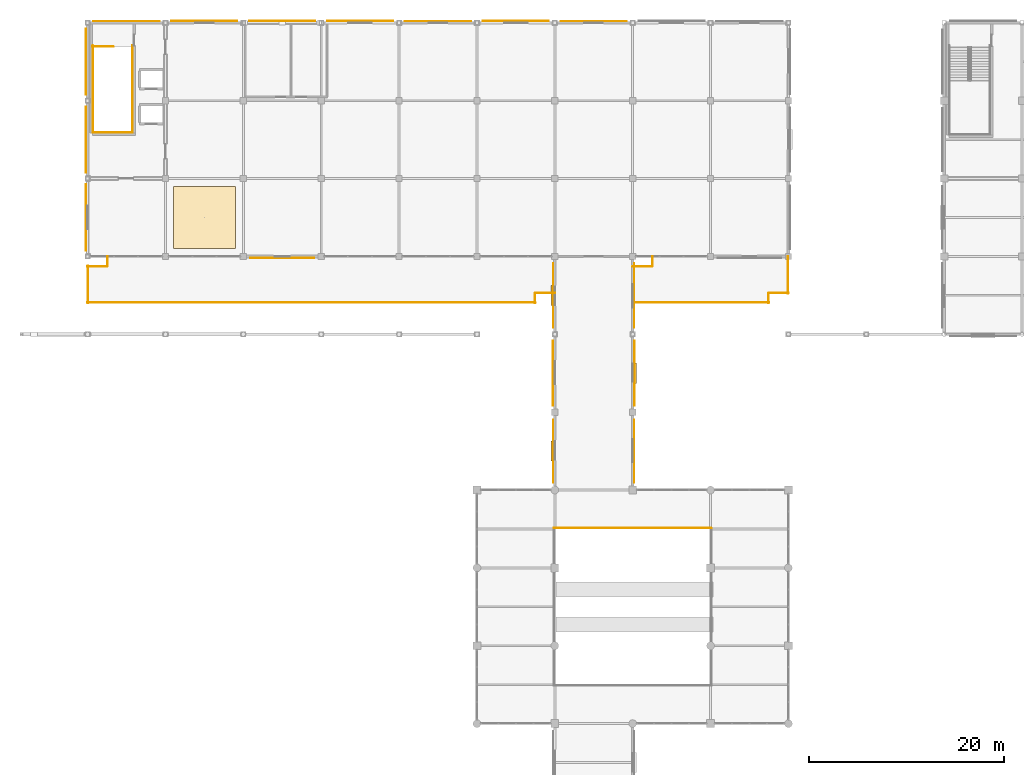
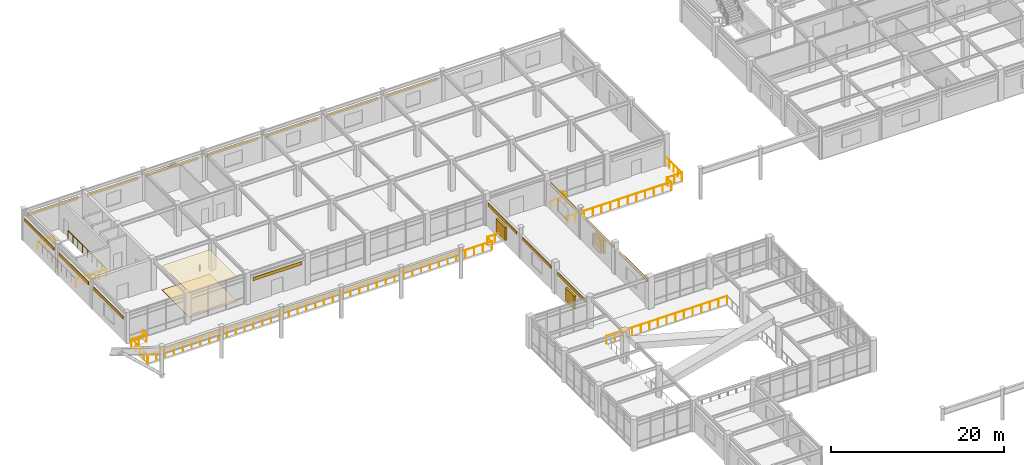
# One storey, part 74 of 78: 19 coverings, 17 railings, 3 shading devices.
"""IFC4 building model written with IfcOpenShell, lengths in metres."""

from ifc_helpers import new_model, si_unit, direction, frame, origin, origin_2d, place, context, subcontext, project, spatial, polyline, rectangle, circle, outline, extrude, material, layer, layer_set, type_object, element, save


model = new_model("IFC4")

# Units and contexts
model_context = context("Model", 3, precision=1e-05, world=origin(), true_north=direction((0.0, 1.0)))
body_context = subcontext(model_context, "Body", "Model", "MODEL_VIEW")
ifc_project = project(units=[si_unit("LENGTHUNIT", "METRE"), si_unit("AREAUNIT", "SQUARE_METRE"), si_unit("VOLUMEUNIT", "CUBIC_METRE"), si_unit("PLANEANGLEUNIT", "RADIAN"), si_unit("MASSUNIT", "GRAM", prefix="KILO")], contexts=[model_context])

# Site, building, storey
site_placement = place(None, origin())
site = spatial("IfcSite", under=ifc_project, at=site_placement, CompositionType="ELEMENT")
building_placement = place(site_placement, origin())
building = spatial("IfcBuilding", under=site, at=building_placement, Name="Solmirada Galleria", CompositionType="ELEMENT")
storey_placement = place(building_placement, frame((0.0, 0.0, 23.89990234375)))
storey = spatial("IfcBuildingStorey", under=building, at=storey_placement, Name="L05", CompositionType="ELEMENT", Elevation=23.89990234375)

# Coverings
ifc_material_1 = material(Name="Perforated acoustic mineral-fibre ceiling")
ifc_layer_1 = layer(ifc_material_1, 0.02490234375)
ifc_layer_set_1 = layer_set([ifc_layer_1], Name="Perforated acoustic mineral-fibre ceiling")
covering_type_1 = type_object("IfcCoveringType", Name="COV-CEIL-ACOUST", PredefinedType="CEILING", material=ifc_layer_set_1)
covering_1_placement = place(storey_placement, frame((0.0, 0.0, 3.4501953125)))
element("IfcCovering", 1, at=covering_1_placement, inside=storey, type_object=covering_type_1, Name="Acoustic ceiling panel L05-1", PredefinedType="CEILING", context=body_context, shape_type="SweptSolid", body=[
    extrude(outline(polyline([(48.800048828125, 96.800048828125), (55.199951171875, 96.800048828125), (55.199951171875, 103.199951171875), (48.800048828125, 103.199951171875), (48.800048828125, 96.800048828125)])), origin(), (0.0, 0.0, 1.0), 0.02490234375),
])
ifc_material_2 = material(Name="Limestone cladding panels", Category="masonry")
ifc_layer_2 = layer(ifc_material_2, 0.044921875)
ifc_layer_set_2 = layer_set([ifc_layer_2], Name="Limestone cladding panels")
covering_type_2 = type_object("IfcCoveringType", Name="COV-CLAD-LIME", PredefinedType="CLADDING", material=ifc_layer_set_2)
covering_2_placement = place(storey_placement, frame((87.83251953125, 84.0, 2.990234375), z_axis=(0.0, 0.0, 1.0), x_axis=(0.0, 1.0, 0.0)))
element("IfcCovering", 2, at=covering_2_placement, inside=storey, type_object=covering_type_2, Name="Postmodern facade cladding L05-313", PredefinedType="CLADDING", context=body_context, shape_type="SweptSolid", body=[
    extrude(rectangle(XDim=6.646484375, YDim=0.044921875, at=origin_2d()), origin(), (0.0, 0.0, 1.0), 0.4599609375),
])
for number, where, z_axis, x_axis, name in (
    (3, (39.83251953125, 100.0, 2.990234375), (0.0, 0.0, 1.0), (0.0, 1.0, 0.0), "Postmodern facade cladding L05-316"),
    (4, (39.83251953125, 116.0, 2.990234375), (0.0, 0.0, 1.0), (0.0, 1.0, 0.0), "Postmodern facade cladding L05-318"),
    (5, (52.0, 120.16748046875, 2.990234375), (0.0, 0.0, 1.0), (1.0, 0.0, 0.0), "Postmodern facade cladding L05-320"),
    (6, (68.0, 120.16748046875, 2.990234375), (0.0, 0.0, 1.0), (1.0, 0.0, 0.0), "Postmodern facade cladding L05-322"),
    (7, (84.0, 120.16748046875, 2.990234375), (0.0, 0.0, 1.0), (1.0, 0.0, 0.0), "Postmodern facade cladding L05-324"),
):
    element("IfcCovering", number, at=place(storey_placement, frame(where, z_axis=z_axis, x_axis=x_axis)), inside=storey, type_object=covering_type_2, Name=name, PredefinedType="CLADDING", context=body_context, shape_type="SweptSolid", body=[
        extrude(rectangle(XDim=6.7939453125, YDim=0.044921875, at=origin_2d()), origin(), (0.0, 0.0, 1.0), 0.4599609375),
    ])
covering_3_placement = place(storey_placement, frame((96.16748046875, 84.0, 2.990234375), z_axis=(0.0, 0.0, 1.0), x_axis=(0.0, -1.0, 0.0)))
element("IfcCovering", 8, at=covering_3_placement, inside=storey, type_object=covering_type_2, Name="Postmodern facade cladding L05-333", PredefinedType="CLADDING", context=body_context, shape_type="SweptSolid", body=[
    extrude(rectangle(XDim=6.646484375, YDim=0.044921875, at=origin_2d()), origin(), (0.0, 0.0, 1.0), 0.4599609375),
])
ifc_material_3 = material(Name="Glazed terracotta facade panels", Category="masonry")
ifc_layer_3 = layer(ifc_material_3, 0.0400390625)
ifc_layer_set_3 = layer_set([ifc_layer_3], Name="Glazed terracotta facade panels")
covering_type_3 = type_object("IfcCoveringType", Name="COV-CLAD-TERRA", PredefinedType="CLADDING", material=ifc_layer_set_3)
covering_4_placement = place(storey_placement, frame((87.8349609375, 76.0, 2.990234375), z_axis=(0.0, 0.0, 1.0), x_axis=(0.0, 1.0, 0.0)))
element("IfcCovering", 9, at=covering_4_placement, inside=storey, type_object=covering_type_3, Name="Postmodern facade cladding L05-312", PredefinedType="CLADDING", context=body_context, shape_type="SweptSolid", body=[
    extrude(rectangle(XDim=6.47509765625, YDim=0.0400390625, at=origin_2d()), origin(), (0.0, 0.0, 1.0), 0.4599609375),
])
covering_5_placement = place(storey_placement, frame((87.8349609375, 92.0, 2.990234375), z_axis=(0.0, 0.0, 1.0), x_axis=(0.0, 1.0, 0.0)))
element("IfcCovering", 10, at=covering_5_placement, inside=storey, type_object=covering_type_3, Name="Postmodern facade cladding L05-314", PredefinedType="CLADDING", context=body_context, shape_type="SweptSolid", body=[
    extrude(rectangle(XDim=6.646484375, YDim=0.0400390625, at=origin_2d()), origin(), (0.0, 0.0, 1.0), 0.4599609375),
])
covering_6_placement = place(storey_placement, frame((60.0, 95.8349609375, 2.990234375), z_axis=(0.0, 0.0, 1.0), x_axis=(-1.0, 0.0, 0.0)))
element("IfcCovering", 11, at=covering_6_placement, inside=storey, type_object=covering_type_3, Name="Postmodern facade cladding L05-315", PredefinedType="CLADDING", context=body_context, shape_type="SweptSolid", body=[
    extrude(rectangle(XDim=6.550048828125, YDim=0.0400390625, at=origin_2d()), origin(), (0.0, 0.0, 1.0), 0.4599609375),
])
for number, where, z_axis, x_axis, name in (
    (12, (39.8349609375, 108.0, 2.990234375), (0.0, 0.0, 1.0), (0.0, 1.0, 0.0), "Postmodern facade cladding L05-317"),
    (13, (44.0, 120.1650390625, 2.990234375), (0.0, 0.0, 1.0), (1.0, 0.0, 0.0), "Postmodern facade cladding L05-319"),
    (14, (60.0, 120.199951171875, 2.990234375), (0.0, 0.0, 1.0), (1.0, 0.0, 0.0), "Postmodern facade cladding L05-321"),
    (15, (76.0, 120.1650390625, 2.990234375), (0.0, 0.0, 1.0), (1.0, 0.0, 0.0), "Postmodern facade cladding L05-323"),
    (16, (92.0, 120.1650390625, 2.990234375), (0.0, 0.0, 1.0), (1.0, 0.0, 0.0), "Postmodern facade cladding L05-325"),
):
    element("IfcCovering", number, at=place(storey_placement, frame(where, z_axis=z_axis, x_axis=x_axis)), inside=storey, type_object=covering_type_3, Name=name, PredefinedType="CLADDING", context=body_context, shape_type="SweptSolid", body=[
        extrude(rectangle(XDim=6.7939453125, YDim=0.0400390625, at=origin_2d()), origin(), (0.0, 0.0, 1.0), 0.4599609375),
    ])
covering_7_placement = place(storey_placement, frame((96.1650390625, 92.0, 2.990234375), z_axis=(0.0, 0.0, 1.0), x_axis=(0.0, -1.0, 0.0)))
element("IfcCovering", 17, at=covering_7_placement, inside=storey, type_object=covering_type_3, Name="Postmodern facade cladding L05-332", PredefinedType="CLADDING", context=body_context, shape_type="SweptSolid", body=[
    extrude(rectangle(XDim=6.646484375, YDim=0.0400390625, at=origin_2d()), origin(), (0.0, 0.0, 1.0), 0.4599609375),
])
covering_8_placement = place(storey_placement, frame((96.1650390625, 76.0, 2.990234375), z_axis=(0.0, 0.0, 1.0), x_axis=(0.0, -1.0, 0.0)))
element("IfcCovering", 18, at=covering_8_placement, inside=storey, type_object=covering_type_3, Name="Postmodern facade cladding L05-334", PredefinedType="CLADDING", context=body_context, shape_type="SweptSolid", body=[
    extrude(rectangle(XDim=6.47509765625, YDim=0.0400390625, at=origin_2d()), origin(), (0.0, 0.0, 1.0), 0.4599609375),
])
ifc_material_4 = material(Name="Polished terrazzo and porcelain tile flooring")
ifc_layer_4 = layer(ifc_material_4, 0.030029296875)
ifc_layer_set_4 = layer_set([ifc_layer_4], Name="Polished terrazzo and porcelain tile flooring")
covering_type_4 = type_object("IfcCoveringType", Name="COV-FLOOR-TERRAZ", PredefinedType="FLOORING", material=ifc_layer_set_4)
covering_9_placement = place(storey_placement, origin())
element("IfcCovering", 19, at=covering_9_placement, inside=storey, type_object=covering_type_4, Name="Terrazzo floor finish L05-1", PredefinedType="FLOORING", context=body_context, shape_type="SweptSolid", body=[
    extrude(outline(polyline([(48.800048828125, 96.800048828125), (55.199951171875, 96.800048828125), (55.199951171875, 103.199951171875), (48.800048828125, 103.199951171875), (48.800048828125, 96.800048828125)])), origin(), (0.0, 0.0, 1.0), 0.030029296875),
])

# Railings
ifc_material_5 = material(Name="Tempered laminated glass and stainless-steel balustrade", Category="steel")
railing_type_1 = type_object("IfcRailingType", Name="RAIL-ATRIUM-BAL", PredefinedType="BALUSTRADE", material=ifc_material_5)
railing_1_placement = place(storey_placement, frame((87.919921875, 68.080078125, 0.0)))
element("IfcRailing", 20, at=railing_1_placement, inside=storey, type_object=railing_type_1, Name="Void balustrade ATRIUM L05-N", PredefinedType="BALUSTRADE", context=body_context, shape_type="SweptSolid", body=[
    extrude(circle(Radius=0.02392578125, at=origin_2d()), frame((0.0, 0.0, 1.09619140625), z_axis=(1.0, 0.0, 0.0), x_axis=(0.0, 1.0, 0.0)), (0.0, 0.0, 1.0), 16.16015625),
    extrude(circle(Radius=0.02099609375, at=origin_2d()), origin(), (0.0, 0.0, 1.0), 1.068115234375),
    extrude(circle(Radius=0.02099609375, at=origin_2d()), frame((1.154296875, 0.0, 0.0)), (0.0, 0.0, 1.0), 1.068115234375),
    extrude(circle(Radius=0.02099609375, at=origin_2d()), frame((2.30859375, 0.0, 0.0)), (0.0, 0.0, 1.0), 1.068115234375),
    extrude(circle(Radius=0.02099609375, at=origin_2d()), frame((3.462890625, 0.0, 0.0)), (0.0, 0.0, 1.0), 1.068115234375),
    extrude(circle(Radius=0.02099609375, at=origin_2d()), frame((4.6171875, 0.0, 0.0)), (0.0, 0.0, 1.0), 1.068115234375),
    extrude(circle(Radius=0.02099609375, at=origin_2d()), frame((5.771484375, 0.0, 0.0)), (0.0, 0.0, 1.0), 1.068115234375),
    extrude(circle(Radius=0.02099609375, at=origin_2d()), frame((6.92578125, 0.0, 0.0)), (0.0, 0.0, 1.0), 1.068115234375),
    extrude(circle(Radius=0.02099609375, at=origin_2d()), frame((8.080078125, 0.0, 0.0)), (0.0, 0.0, 1.0), 1.068115234375),
    extrude(circle(Radius=0.02099609375, at=origin_2d()), frame((9.234375, 0.0, 0.0)), (0.0, 0.0, 1.0), 1.068115234375),
    extrude(circle(Radius=0.02099609375, at=origin_2d()), frame((10.388671875, 0.0, 0.0)), (0.0, 0.0, 1.0), 1.068115234375),
    extrude(circle(Radius=0.02099609375, at=origin_2d()), frame((11.54296875, 0.0, 0.0)), (0.0, 0.0, 1.0), 1.068115234375),
    extrude(circle(Radius=0.02099609375, at=origin_2d()), frame((12.697265625, 0.0, 0.0)), (0.0, 0.0, 1.0), 1.068115234375),
    extrude(circle(Radius=0.02099609375, at=origin_2d()), frame((13.8515625, 0.0, 0.0)), (0.0, 0.0, 1.0), 1.068115234375),
    extrude(circle(Radius=0.02099609375, at=origin_2d()), frame((15.005859375, 0.0, 0.0)), (0.0, 0.0, 1.0), 1.068115234375),
    extrude(circle(Radius=0.02099609375, at=origin_2d()), frame((16.16015625, 0.0, 0.0)), (0.0, 0.0, 1.0), 1.068115234375),
])
ifc_material_6 = material(Name="Painted steel tubular railing", Category="steel")
railing_type_2 = type_object("IfcRailingType", Name="RAIL-STAIR-GUARD", PredefinedType="GUARDRAIL", material=ifc_material_6)
railing_2_placement = place(storey_placement, frame((40.5, 117.550048828125, 0.0)))
element("IfcRailing", 21, at=railing_2_placement, inside=storey, type_object=railing_type_2, Name="L05 ST1 top well guard 1", PredefinedType="GUARDRAIL", context=body_context, shape_type="SweptSolid", body=[
    extrude(circle(Radius=0.02392578125, at=origin_2d()), frame((0.0, 0.0, 1.076171875), z_axis=(1.0, 0.0, 0.0), x_axis=(0.0, 1.0, 0.0)), (0.0, 0.0, 1.0), 2.14990234375),
    extrude(circle(Radius=0.02099609375, at=origin_2d()), origin(), (0.0, 0.0, 1.0), 1.048095703125),
    extrude(circle(Radius=0.02099609375, at=origin_2d()), frame((1.074951171875, 0.0, 0.0)), (0.0, 0.0, 1.0), 1.048095703125),
    extrude(circle(Radius=0.02099609375, at=origin_2d()), frame((2.14990234375, 0.0, 0.0)), (0.0, 0.0, 1.0), 1.048095703125),
])
railing_3_placement = place(storey_placement, frame((44.610107421875, 117.64990234375, 0.0)))
element("IfcRailing", 22, at=railing_3_placement, inside=storey, type_object=railing_type_2, Name="Stair ST1 well edge guard L05-1", PredefinedType="GUARDRAIL", context=body_context, shape_type="SweptSolid", body=[
    extrude(circle(Radius=0.02392578125, at=origin_2d()), frame((0.0, 0.0, 1.09619140625), z_axis=(0.0, -1.0, 0.0), x_axis=(1.0, 0.0, 0.0)), (0.0, 0.0, 1.0), 8.909912109375),
    extrude(circle(Radius=0.02099609375, at=origin_2d()), origin(), (0.0, 0.0, 1.0), 1.068115234375),
    extrude(circle(Radius=0.02099609375, at=origin_2d()), frame((0.0, -1.11376953125, 0.0)), (0.0, 0.0, 1.0), 1.068115234375),
    extrude(circle(Radius=0.02099609375, at=origin_2d()), frame((0.0, -2.2275390625, 0.0)), (0.0, 0.0, 1.0), 1.068115234375),
    extrude(circle(Radius=0.02099609375, at=origin_2d()), frame((0.0, -3.34130859375, 0.0)), (0.0, 0.0, 1.0), 1.068115234375),
    extrude(circle(Radius=0.02099609375, at=origin_2d()), frame((0.0, -4.455078125, 0.0)), (0.0, 0.0, 1.0), 1.068115234375),
    extrude(circle(Radius=0.02099609375, at=origin_2d()), frame((0.0, -5.568603515625, 0.0)), (0.0, 0.0, 1.0), 1.068115234375),
    extrude(circle(Radius=0.02099609375, at=origin_2d()), frame((0.0, -6.682373046875, 0.0)), (0.0, 0.0, 1.0), 1.068115234375),
    extrude(circle(Radius=0.02099609375, at=origin_2d()), frame((0.0, -7.796142578125, 0.0)), (0.0, 0.0, 1.0), 1.068115234375),
    extrude(circle(Radius=0.02099609375, at=origin_2d()), frame((0.0, -8.909912109375, 0.0)), (0.0, 0.0, 1.0), 1.068115234375),
])
railing_4_placement = place(storey_placement, frame((44.610107421875, 108.739990234375, 0.0)))
element("IfcRailing", 23, at=railing_4_placement, inside=storey, type_object=railing_type_2, Name="Stair ST1 well edge guard L05-2", PredefinedType="GUARDRAIL", context=body_context, shape_type="SweptSolid", body=[
    extrude(circle(Radius=0.02392578125, at=origin_2d()), frame((0.0, 0.0, 1.09619140625), z_axis=(-1.0, 0.0, 0.0), x_axis=(0.0, -1.0, 0.0)), (0.0, 0.0, 1.0), 4.070068359375),
    extrude(circle(Radius=0.02099609375, at=origin_2d()), origin(), (0.0, 0.0, 1.0), 1.068115234375),
    extrude(circle(Radius=0.02099609375, at=origin_2d()), frame((-1.017578125, 0.0, 0.0)), (0.0, 0.0, 1.0), 1.068115234375),
    extrude(circle(Radius=0.02099609375, at=origin_2d()), frame((-2.03515625, 0.0, 0.0)), (0.0, 0.0, 1.0), 1.068115234375),
    extrude(circle(Radius=0.02099609375, at=origin_2d()), frame((-3.052490234375, 0.0, 0.0)), (0.0, 0.0, 1.0), 1.068115234375),
    extrude(circle(Radius=0.02099609375, at=origin_2d()), frame((-4.070068359375, 0.0, 0.0)), (0.0, 0.0, 1.0), 1.068115234375),
])
railing_5_placement = place(storey_placement, frame((40.5400390625, 108.739990234375, 0.0)))
element("IfcRailing", 24, at=railing_5_placement, inside=storey, type_object=railing_type_2, Name="Stair ST1 well edge guard L05-3", PredefinedType="GUARDRAIL", context=body_context, shape_type="SweptSolid", body=[
    extrude(circle(Radius=0.02392578125, at=origin_2d()), frame((0.0, 0.0, 1.09619140625), z_axis=(0.0, 1.0, 0.0), x_axis=(-1.0, 0.0, 0.0)), (0.0, 0.0, 1.0), 8.909912109375),
    extrude(circle(Radius=0.02099609375, at=origin_2d()), origin(), (0.0, 0.0, 1.0), 1.068115234375),
    extrude(circle(Radius=0.02099609375, at=origin_2d()), frame((0.0, 1.11376953125, 0.0)), (0.0, 0.0, 1.0), 1.068115234375),
    extrude(circle(Radius=0.02099609375, at=origin_2d()), frame((0.0, 2.2275390625, 0.0)), (0.0, 0.0, 1.0), 1.068115234375),
    extrude(circle(Radius=0.02099609375, at=origin_2d()), frame((0.0, 3.34130859375, 0.0)), (0.0, 0.0, 1.0), 1.068115234375),
    extrude(circle(Radius=0.02099609375, at=origin_2d()), frame((0.0, 4.455078125, 0.0)), (0.0, 0.0, 1.0), 1.068115234375),
    extrude(circle(Radius=0.02099609375, at=origin_2d()), frame((0.0, 5.568603515625, 0.0)), (0.0, 0.0, 1.0), 1.068115234375),
    extrude(circle(Radius=0.02099609375, at=origin_2d()), frame((0.0, 6.682373046875, 0.0)), (0.0, 0.0, 1.0), 1.068115234375),
    extrude(circle(Radius=0.02099609375, at=origin_2d()), frame((0.0, 7.796142578125, 0.0)), (0.0, 0.0, 1.0), 1.068115234375),
    extrude(circle(Radius=0.02099609375, at=origin_2d()), frame((0.0, 8.909912109375, 0.0)), (0.0, 0.0, 1.0), 1.068115234375),
])
ifc_material_7 = material(Name="Painted galvanized steel balustrade", Category="steel")
railing_type_3 = type_object("IfcRailingType", Name="RAIL-TERR-1100", PredefinedType="GUARDRAIL", material=ifc_material_7)
railing_6_placement = place(storey_placement, frame((40.0, 91.25, 0.0)))
element("IfcRailing", 25, at=railing_6_placement, inside=storey, type_object=railing_type_3, Name="Terrace guardrail L05-TERR-NW E1.1", PredefinedType="GUARDRAIL", context=body_context, shape_type="SweptSolid", body=[
    extrude(circle(Radius=0.02392578125, at=origin_2d()), frame((0.0, 0.0, 1.09619140625), z_axis=(1.0, 0.0, 0.0), x_axis=(0.0, 1.0, 0.0)), (0.0, 0.0, 1.0), 46.0),
    extrude(circle(Radius=0.02099609375, at=origin_2d()), origin(), (0.0, 0.0, 1.0), 1.068115234375),
    extrude(circle(Radius=0.02099609375, at=origin_2d()), frame((1.179443359375, 0.0, 0.0)), (0.0, 0.0, 1.0), 1.068115234375),
    extrude(circle(Radius=0.02099609375, at=origin_2d()), frame((2.35888671875, 0.0, 0.0)), (0.0, 0.0, 1.0), 1.068115234375),
    extrude(circle(Radius=0.02099609375, at=origin_2d()), frame((3.53857421875, 0.0, 0.0)), (0.0, 0.0, 1.0), 1.068115234375),
    extrude(circle(Radius=0.02099609375, at=origin_2d()), frame((4.718017578125, 0.0, 0.0)), (0.0, 0.0, 1.0), 1.068115234375),
    extrude(circle(Radius=0.02099609375, at=origin_2d()), frame((5.8974609375, 0.0, 0.0)), (0.0, 0.0, 1.0), 1.068115234375),
    extrude(circle(Radius=0.02099609375, at=origin_2d()), frame((7.076904296875, 0.0, 0.0)), (0.0, 0.0, 1.0), 1.068115234375),
    extrude(circle(Radius=0.02099609375, at=origin_2d()), frame((8.25634765625, 0.0, 0.0)), (0.0, 0.0, 1.0), 1.068115234375),
    extrude(circle(Radius=0.02099609375, at=origin_2d()), frame((9.435791015625, 0.0, 0.0)), (0.0, 0.0, 1.0), 1.068115234375),
    extrude(circle(Radius=0.02099609375, at=origin_2d()), frame((10.615478515625, 0.0, 0.0)), (0.0, 0.0, 1.0), 1.068115234375),
    extrude(circle(Radius=0.02099609375, at=origin_2d()), frame((11.794921875, 0.0, 0.0)), (0.0, 0.0, 1.0), 1.068115234375),
    extrude(circle(Radius=0.02099609375, at=origin_2d()), frame((12.974365234375, 0.0, 0.0)), (0.0, 0.0, 1.0), 1.068115234375),
    extrude(circle(Radius=0.02099609375, at=origin_2d()), frame((14.15380859375, 0.0, 0.0)), (0.0, 0.0, 1.0), 1.068115234375),
    extrude(circle(Radius=0.02099609375, at=origin_2d()), frame((15.333251953125, 0.0, 0.0)), (0.0, 0.0, 1.0), 1.068115234375),
    extrude(circle(Radius=0.02099609375, at=origin_2d()), frame((16.512939453125, 0.0, 0.0)), (0.0, 0.0, 1.0), 1.068115234375),
    extrude(circle(Radius=0.02099609375, at=origin_2d()), frame((17.6923828125, 0.0, 0.0)), (0.0, 0.0, 1.0), 1.068115234375),
    extrude(circle(Radius=0.02099609375, at=origin_2d()), frame((18.871826171875, 0.0, 0.0)), (0.0, 0.0, 1.0), 1.068115234375),
    extrude(circle(Radius=0.02099609375, at=origin_2d()), frame((20.05126953125, 0.0, 0.0)), (0.0, 0.0, 1.0), 1.068115234375),
    extrude(circle(Radius=0.02099609375, at=origin_2d()), frame((21.230712890625, 0.0, 0.0)), (0.0, 0.0, 1.0), 1.068115234375),
    extrude(circle(Radius=0.02099609375, at=origin_2d()), frame((22.41015625, 0.0, 0.0)), (0.0, 0.0, 1.0), 1.068115234375),
    extrude(circle(Radius=0.02099609375, at=origin_2d()), frame((23.58984375, 0.0, 0.0)), (0.0, 0.0, 1.0), 1.068115234375),
    extrude(circle(Radius=0.02099609375, at=origin_2d()), frame((24.769287109375, 0.0, 0.0)), (0.0, 0.0, 1.0), 1.068115234375),
    extrude(circle(Radius=0.02099609375, at=origin_2d()), frame((25.94873046875, 0.0, 0.0)), (0.0, 0.0, 1.0), 1.068115234375),
    extrude(circle(Radius=0.02099609375, at=origin_2d()), frame((27.128173828125, 0.0, 0.0)), (0.0, 0.0, 1.0), 1.068115234375),
    extrude(circle(Radius=0.02099609375, at=origin_2d()), frame((28.3076171875, 0.0, 0.0)), (0.0, 0.0, 1.0), 1.068115234375),
    extrude(circle(Radius=0.02099609375, at=origin_2d()), frame((29.487060546875, 0.0, 0.0)), (0.0, 0.0, 1.0), 1.068115234375),
    extrude(circle(Radius=0.02099609375, at=origin_2d()), frame((30.666748046875, 0.0, 0.0)), (0.0, 0.0, 1.0), 1.068115234375),
    extrude(circle(Radius=0.02099609375, at=origin_2d()), frame((31.84619140625, 0.0, 0.0)), (0.0, 0.0, 1.0), 1.068115234375),
    extrude(circle(Radius=0.02099609375, at=origin_2d()), frame((33.025634765625, 0.0, 0.0)), (0.0, 0.0, 1.0), 1.068115234375),
    extrude(circle(Radius=0.02099609375, at=origin_2d()), frame((34.205078125, 0.0, 0.0)), (0.0, 0.0, 1.0), 1.068115234375),
    extrude(circle(Radius=0.02099609375, at=origin_2d()), frame((35.384521484375, 0.0, 0.0)), (0.0, 0.0, 1.0), 1.068115234375),
    extrude(circle(Radius=0.02099609375, at=origin_2d()), frame((36.564208984375, 0.0, 0.0)), (0.0, 0.0, 1.0), 1.068115234375),
    extrude(circle(Radius=0.02099609375, at=origin_2d()), frame((37.74365234375, 0.0, 0.0)), (0.0, 0.0, 1.0), 1.068115234375),
    extrude(circle(Radius=0.02099609375, at=origin_2d()), frame((38.923095703125, 0.0, 0.0)), (0.0, 0.0, 1.0), 1.068115234375),
    extrude(circle(Radius=0.02099609375, at=origin_2d()), frame((40.1025390625, 0.0, 0.0)), (0.0, 0.0, 1.0), 1.068115234375),
    extrude(circle(Radius=0.02099609375, at=origin_2d()), frame((41.281982421875, 0.0, 0.0)), (0.0, 0.0, 1.0), 1.068115234375),
    extrude(circle(Radius=0.02099609375, at=origin_2d()), frame((42.46142578125, 0.0, 0.0)), (0.0, 0.0, 1.0), 1.068115234375),
    extrude(circle(Radius=0.02099609375, at=origin_2d()), frame((43.64111328125, 0.0, 0.0)), (0.0, 0.0, 1.0), 1.068115234375),
    extrude(circle(Radius=0.02099609375, at=origin_2d()), frame((44.820556640625, 0.0, 0.0)), (0.0, 0.0, 1.0), 1.068115234375),
    extrude(circle(Radius=0.02099609375, at=origin_2d()), frame((46.0, 0.0, 0.0)), (0.0, 0.0, 1.0), 1.068115234375),
])
railing_7_placement = place(storey_placement, frame((85.949951171875, 91.199951171875, 0.0)))
element("IfcRailing", 26, at=railing_7_placement, inside=storey, type_object=railing_type_3, Name="Terrace guardrail L05-TERR-NW E2.1", PredefinedType="GUARDRAIL", context=body_context, shape_type="SweptSolid", body=[
    extrude(circle(Radius=0.02392578125, at=origin_2d()), frame((0.0, 0.0, 1.09619140625), z_axis=(0.0, 1.0, 0.0), x_axis=(-1.0, 0.0, 0.0)), (0.0, 0.0, 1.0), 1.0),
    extrude(circle(Radius=0.02099609375, at=origin_2d()), origin(), (0.0, 0.0, 1.0), 1.068115234375),
    extrude(circle(Radius=0.02099609375, at=origin_2d()), frame((0.0, 1.0, 0.0)), (0.0, 0.0, 1.0), 1.068115234375),
])
railing_8_placement = place(storey_placement, frame((86.0, 92.25, 0.0)))
element("IfcRailing", 27, at=railing_8_placement, inside=storey, type_object=railing_type_3, Name="Terrace guardrail L05-TERR-NW E3.1", PredefinedType="GUARDRAIL", context=body_context, shape_type="SweptSolid", body=[
    extrude(circle(Radius=0.02392578125, at=origin_2d()), frame((0.0, 0.0, 1.09619140625), z_axis=(1.0, 0.0, 0.0), x_axis=(0.0, 1.0, 0.0)), (0.0, 0.0, 1.0), 2.0),
    extrude(circle(Radius=0.02099609375, at=origin_2d()), origin(), (0.0, 0.0, 1.0), 1.068115234375),
    extrude(circle(Radius=0.02099609375, at=origin_2d()), frame((1.0, 0.0, 0.0)), (0.0, 0.0, 1.0), 1.068115234375),
    extrude(circle(Radius=0.02099609375, at=origin_2d()), frame((2.0, 0.0, 0.0)), (0.0, 0.0, 1.0), 1.068115234375),
])
railing_9_placement = place(storey_placement, frame((42.050048828125, 96.0, 0.0)))
element("IfcRailing", 28, at=railing_9_placement, inside=storey, type_object=railing_type_3, Name="Terrace guardrail L05-TERR-NW E6.1", PredefinedType="GUARDRAIL", context=body_context, shape_type="SweptSolid", body=[
    extrude(circle(Radius=0.02392578125, at=origin_2d()), frame((0.0, 0.0, 1.09619140625), z_axis=(0.0, -1.0, 0.0), x_axis=(1.0, 0.0, 0.0)), (0.0, 0.0, 1.0), 1.0),
    extrude(circle(Radius=0.02099609375, at=origin_2d()), origin(), (0.0, 0.0, 1.0), 1.068115234375),
    extrude(circle(Radius=0.02099609375, at=origin_2d()), frame((0.0, -1.0, 0.0)), (0.0, 0.0, 1.0), 1.068115234375),
])
railing_10_placement = place(storey_placement, frame((42.0, 94.949951171875, 0.0)))
element("IfcRailing", 29, at=railing_10_placement, inside=storey, type_object=railing_type_3, Name="Terrace guardrail L05-TERR-NW E7.1", PredefinedType="GUARDRAIL", context=body_context, shape_type="SweptSolid", body=[
    extrude(circle(Radius=0.02392578125, at=origin_2d()), frame((0.0, 0.0, 1.09619140625), z_axis=(-1.0, 0.0, 0.0), x_axis=(0.0, -1.0, 0.0)), (0.0, 0.0, 1.0), 2.0),
    extrude(circle(Radius=0.02099609375, at=origin_2d()), origin(), (0.0, 0.0, 1.0), 1.068115234375),
    extrude(circle(Radius=0.02099609375, at=origin_2d()), frame((-1.0, 0.0, 0.0)), (0.0, 0.0, 1.0), 1.068115234375),
    extrude(circle(Radius=0.02099609375, at=origin_2d()), frame((-2.0, 0.0, 0.0)), (0.0, 0.0, 1.0), 1.068115234375),
])
railing_11_placement = place(storey_placement, frame((40.050048828125, 95.0, 0.0)))
element("IfcRailing", 30, at=railing_11_placement, inside=storey, type_object=railing_type_3, Name="Terrace guardrail L05-TERR-NW E8.1", PredefinedType="GUARDRAIL", context=body_context, shape_type="SweptSolid", body=[
    extrude(circle(Radius=0.02392578125, at=origin_2d()), frame((0.0, 0.0, 1.09619140625), z_axis=(0.0, -1.0, 0.0), x_axis=(1.0, 0.0, 0.0)), (0.0, 0.0, 1.0), 3.800048828125),
    extrude(circle(Radius=0.02099609375, at=origin_2d()), origin(), (0.0, 0.0, 1.0), 1.068115234375),
    extrude(circle(Radius=0.02099609375, at=origin_2d()), frame((0.0, -0.949951171875, 0.0)), (0.0, 0.0, 1.0), 1.068115234375),
    extrude(circle(Radius=0.02099609375, at=origin_2d()), frame((0.0, -1.89990234375, 0.0)), (0.0, 0.0, 1.0), 1.068115234375),
    extrude(circle(Radius=0.02099609375, at=origin_2d()), frame((0.0, -2.85009765625, 0.0)), (0.0, 0.0, 1.0), 1.068115234375),
    extrude(circle(Radius=0.02099609375, at=origin_2d()), frame((0.0, -3.800048828125, 0.0)), (0.0, 0.0, 1.0), 1.068115234375),
])
railing_12_placement = place(storey_placement, frame((96.0, 91.25, 0.0)))
element("IfcRailing", 31, at=railing_12_placement, inside=storey, type_object=railing_type_3, Name="Terrace guardrail L05-TERR-NE E1.1", PredefinedType="GUARDRAIL", context=body_context, shape_type="SweptSolid", body=[
    extrude(circle(Radius=0.02392578125, at=origin_2d()), frame((0.0, 0.0, 1.09619140625), z_axis=(1.0, 0.0, 0.0), x_axis=(0.0, 1.0, 0.0)), (0.0, 0.0, 1.0), 14.0),
    extrude(circle(Radius=0.02099609375, at=origin_2d()), origin(), (0.0, 0.0, 1.0), 1.068115234375),
    extrude(circle(Radius=0.02099609375, at=origin_2d()), frame((1.166748046875, 0.0, 0.0)), (0.0, 0.0, 1.0), 1.068115234375),
    extrude(circle(Radius=0.02099609375, at=origin_2d()), frame((2.333251953125, 0.0, 0.0)), (0.0, 0.0, 1.0), 1.068115234375),
    extrude(circle(Radius=0.02099609375, at=origin_2d()), frame((3.5, 0.0, 0.0)), (0.0, 0.0, 1.0), 1.068115234375),
    extrude(circle(Radius=0.02099609375, at=origin_2d()), frame((4.666748046875, 0.0, 0.0)), (0.0, 0.0, 1.0), 1.068115234375),
    extrude(circle(Radius=0.02099609375, at=origin_2d()), frame((5.833251953125, 0.0, 0.0)), (0.0, 0.0, 1.0), 1.068115234375),
    extrude(circle(Radius=0.02099609375, at=origin_2d()), frame((7.0, 0.0, 0.0)), (0.0, 0.0, 1.0), 1.068115234375),
    extrude(circle(Radius=0.02099609375, at=origin_2d()), frame((8.166748046875, 0.0, 0.0)), (0.0, 0.0, 1.0), 1.068115234375),
    extrude(circle(Radius=0.02099609375, at=origin_2d()), frame((9.333251953125, 0.0, 0.0)), (0.0, 0.0, 1.0), 1.068115234375),
    extrude(circle(Radius=0.02099609375, at=origin_2d()), frame((10.5, 0.0, 0.0)), (0.0, 0.0, 1.0), 1.068115234375),
    extrude(circle(Radius=0.02099609375, at=origin_2d()), frame((11.666748046875, 0.0, 0.0)), (0.0, 0.0, 1.0), 1.068115234375),
    extrude(circle(Radius=0.02099609375, at=origin_2d()), frame((12.833251953125, 0.0, 0.0)), (0.0, 0.0, 1.0), 1.068115234375),
    extrude(circle(Radius=0.02099609375, at=origin_2d()), frame((14.0, 0.0, 0.0)), (0.0, 0.0, 1.0), 1.068115234375),
])
railing_13_placement = place(storey_placement, frame((109.949951171875, 91.199951171875, 0.0)))
element("IfcRailing", 32, at=railing_13_placement, inside=storey, type_object=railing_type_3, Name="Terrace guardrail L05-TERR-NE E2.1", PredefinedType="GUARDRAIL", context=body_context, shape_type="SweptSolid", body=[
    extrude(circle(Radius=0.02392578125, at=origin_2d()), frame((0.0, 0.0, 1.09619140625), z_axis=(0.0, 1.0, 0.0), x_axis=(-1.0, 0.0, 0.0)), (0.0, 0.0, 1.0), 1.0),
    extrude(circle(Radius=0.02099609375, at=origin_2d()), origin(), (0.0, 0.0, 1.0), 1.068115234375),
    extrude(circle(Radius=0.02099609375, at=origin_2d()), frame((0.0, 1.0, 0.0)), (0.0, 0.0, 1.0), 1.068115234375),
])
railing_14_placement = place(storey_placement, frame((110.0, 92.25, 0.0)))
element("IfcRailing", 33, at=railing_14_placement, inside=storey, type_object=railing_type_3, Name="Terrace guardrail L05-TERR-NE E3.1", PredefinedType="GUARDRAIL", context=body_context, shape_type="SweptSolid", body=[
    extrude(circle(Radius=0.02392578125, at=origin_2d()), frame((0.0, 0.0, 1.09619140625), z_axis=(1.0, 0.0, 0.0), x_axis=(0.0, 1.0, 0.0)), (0.0, 0.0, 1.0), 2.0),
    extrude(circle(Radius=0.02099609375, at=origin_2d()), origin(), (0.0, 0.0, 1.0), 1.068115234375),
    extrude(circle(Radius=0.02099609375, at=origin_2d()), frame((1.0, 0.0, 0.0)), (0.0, 0.0, 1.0), 1.068115234375),
    extrude(circle(Radius=0.02099609375, at=origin_2d()), frame((2.0, 0.0, 0.0)), (0.0, 0.0, 1.0), 1.068115234375),
])
railing_15_placement = place(storey_placement, frame((111.949951171875, 92.199951171875, 0.0)))
element("IfcRailing", 34, at=railing_15_placement, inside=storey, type_object=railing_type_3, Name="Terrace guardrail L05-TERR-NE E4.1", PredefinedType="GUARDRAIL", context=body_context, shape_type="SweptSolid", body=[
    extrude(circle(Radius=0.02392578125, at=origin_2d()), frame((0.0, 0.0, 1.09619140625), z_axis=(0.0, 1.0, 0.0), x_axis=(-1.0, 0.0, 0.0)), (0.0, 0.0, 1.0), 3.800048828125),
    extrude(circle(Radius=0.02099609375, at=origin_2d()), origin(), (0.0, 0.0, 1.0), 1.068115234375),
    extrude(circle(Radius=0.02099609375, at=origin_2d()), frame((0.0, 0.949951171875, 0.0)), (0.0, 0.0, 1.0), 1.068115234375),
    extrude(circle(Radius=0.02099609375, at=origin_2d()), frame((0.0, 1.89990234375, 0.0)), (0.0, 0.0, 1.0), 1.068115234375),
    extrude(circle(Radius=0.02099609375, at=origin_2d()), frame((0.0, 2.85009765625, 0.0)), (0.0, 0.0, 1.0), 1.068115234375),
    extrude(circle(Radius=0.02099609375, at=origin_2d()), frame((0.0, 3.800048828125, 0.0)), (0.0, 0.0, 1.0), 1.068115234375),
])
railing_16_placement = place(storey_placement, frame((98.050048828125, 96.0, 0.0)))
element("IfcRailing", 35, at=railing_16_placement, inside=storey, type_object=railing_type_3, Name="Terrace guardrail L05-TERR-NE E6.1", PredefinedType="GUARDRAIL", context=body_context, shape_type="SweptSolid", body=[
    extrude(circle(Radius=0.02392578125, at=origin_2d()), frame((0.0, 0.0, 1.09619140625), z_axis=(0.0, -1.0, 0.0), x_axis=(1.0, 0.0, 0.0)), (0.0, 0.0, 1.0), 1.0),
    extrude(circle(Radius=0.02099609375, at=origin_2d()), origin(), (0.0, 0.0, 1.0), 1.068115234375),
    extrude(circle(Radius=0.02099609375, at=origin_2d()), frame((0.0, -1.0, 0.0)), (0.0, 0.0, 1.0), 1.068115234375),
])
railing_17_placement = place(storey_placement, frame((98.0, 94.949951171875, 0.0)))
element("IfcRailing", 36, at=railing_17_placement, inside=storey, type_object=railing_type_3, Name="Terrace guardrail L05-TERR-NE E7.1", PredefinedType="GUARDRAIL", context=body_context, shape_type="SweptSolid", body=[
    extrude(circle(Radius=0.02392578125, at=origin_2d()), frame((0.0, 0.0, 1.09619140625), z_axis=(-1.0, 0.0, 0.0), x_axis=(0.0, -1.0, 0.0)), (0.0, 0.0, 1.0), 2.0),
    extrude(circle(Radius=0.02099609375, at=origin_2d()), origin(), (0.0, 0.0, 1.0), 1.068115234375),
    extrude(circle(Radius=0.02099609375, at=origin_2d()), frame((-1.0, 0.0, 0.0)), (0.0, 0.0, 1.0), 1.068115234375),
    extrude(circle(Radius=0.02099609375, at=origin_2d()), frame((-2.0, 0.0, 0.0)), (0.0, 0.0, 1.0), 1.068115234375),
])

# Shading devices
ifc_material_8 = material(Name="Extruded aluminium storm louvres", Category="aluminium")
shading_device_type = type_object("IfcShadingDeviceType", Name="SHD-JALOUSIE", PredefinedType="JALOUSIE", material=ifc_material_8)
for number, where, z_axis, x_axis, name in (
    (37, (87.72509765625, 76.0, 0.800048828125), (0.0, 0.0, 1.0), (0.0, 1.0, 0.0), "Hurricane storm jalousie louvre 092"),
    (38, (87.72509765625, 92.0, 0.800048828125), (0.0, 0.0, 1.0), (0.0, 1.0, 0.0), "Hurricane storm jalousie louvre 093"),
    (39, (96.27490234375, 84.0, 0.800048828125), (0.0, 0.0, 1.0), (0.0, -1.0, 0.0), "Hurricane storm jalousie louvre 095"),
):
    element("IfcShadingDevice", number, at=place(storey_placement, frame(where, z_axis=z_axis, x_axis=x_axis)), inside=storey, type_object=shading_device_type, Name=name, PredefinedType="JALOUSIE", context=body_context, shape_type="SweptSolid", body=[
        extrude(rectangle(XDim=2.06005859375, YDim=0.260009765625, at=origin_2d()), origin(), (0.0, 0.0, 1.0), 1.85009765625),
    ])

save(model, "model.ifc")
